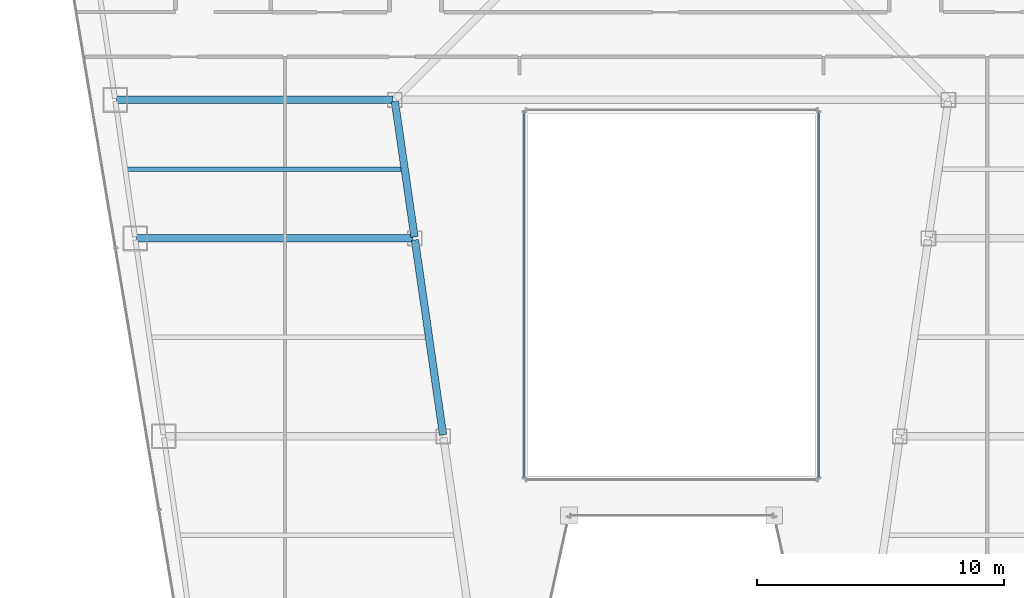
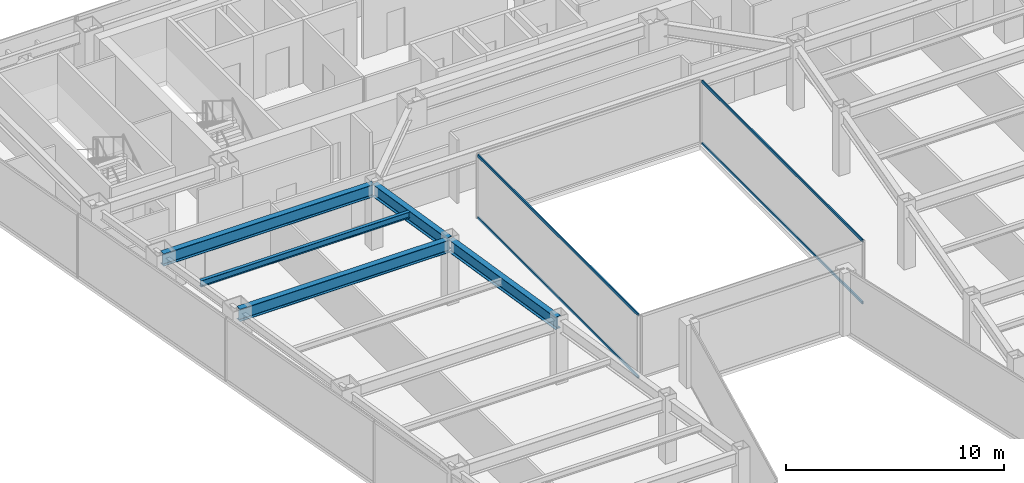
# One storey, part 10 of 36: 5 beams, 4 members, 2 elements without a shape of their own.
"""IFC4 building model written with IfcOpenShell, lengths in metres."""

from ifc_helpers import new_model, si_unit, direction, frame, origin, origin_2d, place, context, subcontext, project, spatial, hollow_rectangle, i_section, extrude, material, material_profile, profile_set, type_object, element, aggregate, save


model = new_model("IFC4")

# Units and contexts
model_context = context("Model", 3, precision=1e-05, world=origin(), true_north=direction((0.0, 1.0)))
body_context = subcontext(model_context, "Body", "Model", "MODEL_VIEW")
ifc_project = project(units=[si_unit("LENGTHUNIT", "METRE"), si_unit("AREAUNIT", "SQUARE_METRE"), si_unit("VOLUMEUNIT", "CUBIC_METRE"), si_unit("PLANEANGLEUNIT", "RADIAN"), si_unit("MASSUNIT", "GRAM", prefix="KILO")], contexts=[model_context])

# Site, building, storey
site_placement = place(None, origin())
site = spatial("IfcSite", under=ifc_project, at=site_placement, CompositionType="ELEMENT")
building_placement = place(site_placement, origin())
building = spatial("IfcBuilding", under=site, at=building_placement, Name="Saevonmaru Cultural Tower", CompositionType="ELEMENT")
storey_placement = place(building_placement, frame((0.0, 0.0, 156.199951171875)))
storey = spatial("IfcBuildingStorey", under=building, at=storey_placement, Name="L34", CompositionType="ELEMENT", Elevation=156.199951171875)

# Beams
ifc_material_1 = material(Name="Steel SM355", Category="steel")
ifc_material_profile_1 = material_profile(ifc_material_1, i_section(OverallWidth=0.300048828125, OverallDepth=0.699951171875, WebThickness=0.012939453125, FlangeThickness=0.02392578125, FilletRadius=0.02587890625, at=origin_2d()), Name="H-700x300x13x24")
ifc_profile_set_1 = profile_set([ifc_material_profile_1], Name="Steel SM355")
beam_type_1 = type_object("IfcBeamType", Name="BM-G-H700", PredefinedType="BEAM", material=ifc_profile_set_1)
beam_1_placement = place(storey_placement, frame((20.763427734375, 24.059326171875, 3.199951171875), z_axis=(-0.142902032203, 0.989736838353, 0.0), x_axis=(-0.989736838353, -0.142902032203, 0.0)))
element("IfcBeam", 1, at=beam_1_placement, inside=storey, type_object=beam_type_1, Name="L34 West Atrium Girder 3", PredefinedType="BEAM", context=body_context, shape_type="SweptSolid", body=[
    extrude(i_section(OverallWidth=0.300048828125, OverallDepth=0.699951171875, WebThickness=0.012939453125, FlangeThickness=0.02392578125, FilletRadius=0.02587890625, at=origin_2d()), origin(), (0.0, 0.0, 1.0), 7.963134765625),
])
beam_2_placement = place(storey_placement, frame((19.6083984375, 32.059326171875, 3.199951171875), z_axis=(-0.142964121327, 0.989727871697, 0.0), x_axis=(-0.989727871697, -0.142964121327, 0.0)))
element("IfcBeam", 2, at=beam_2_placement, inside=storey, type_object=beam_type_1, Name="L34 West Atrium Girder 4", PredefinedType="BEAM", context=body_context, shape_type="SweptSolid", body=[
    extrude(i_section(OverallWidth=0.300048828125, OverallDepth=0.699951171875, WebThickness=0.012939453125, FlangeThickness=0.02392578125, FilletRadius=0.02587890625, at=origin_2d()), origin(), (0.0, 0.0, 1.0), 5.5380859375),
])
for number, where, z_axis, x_axis, name in (
    (3, (8.376953125, 32.0, 3.199951171875), (1.0, 0.0, 0.0), (0.0, 1.0, 0.0), "L34 West Wing Transverse Girder 4"),
    (4, (7.568115234375, 37.60009765625, 3.199951171875), (1.0, 0.0, 0.0), (0.0, 1.0, 0.0), "L34 West Wing Transverse Girder 5"),
):
    element("IfcBeam", number, at=place(storey_placement, frame(where, z_axis=z_axis, x_axis=x_axis)), inside=storey, type_object=beam_type_1, Name=name, PredefinedType="BEAM", context=body_context, shape_type="SweptSolid", body=[
        extrude(i_section(OverallWidth=0.300048828125, OverallDepth=0.699951171875, WebThickness=0.012939453125, FlangeThickness=0.02392578125, FilletRadius=0.02587890625, at=origin_2d()), origin(), (0.0, 0.0, 1.0), 11.179931640625),
    ])
ifc_material_profile_2 = material_profile(ifc_material_1, i_section(OverallWidth=0.175048828125, OverallDepth=0.35009765625, WebThickness=0.007080078125, FlangeThickness=0.010986328125, FilletRadius=0.012939453125, at=origin_2d()), Name="H-350x175x7x11")
ifc_profile_set_2 = profile_set([ifc_material_profile_2], Name="Steel SM355")
beam_type_2 = type_object("IfcBeamType", Name="BM-J-H350", PredefinedType="JOIST", material=ifc_profile_set_2)
beam_3_placement = place(storey_placement, frame((7.972412109375, 34.800048828125, 3.375), z_axis=(1.0, 0.0, 0.0), x_axis=(0.0, 1.0, 0.0)))
element("IfcBeam", 5, at=beam_3_placement, inside=storey, type_object=beam_type_2, Name="L34 West Wing Floor Joist 4", PredefinedType="JOIST", context=body_context, shape_type="SweptSolid", body=[
    extrude(i_section(OverallWidth=0.175048828125, OverallDepth=0.35009765625, WebThickness=0.007080078125, FlangeThickness=0.010986328125, FilletRadius=0.012939453125, at=origin_2d()), origin(), (0.0, 0.0, 1.0), 11.08203125),
])

# Curtain wall, members
ifc_material_2 = material(Name="Satin Bronze Anodised Aluminium", Category="aluminium")
curtain_wall_type = type_object("IfcCurtainWallType", Name="CW-ATR-GLZ", PredefinedType="NOTDEFINED", material=ifc_material_2)
curtain_wall_1_placement = place(storey_placement, origin())
curtain_wall_1 = element("IfcCurtainWall", 6, at=curtain_wall_1_placement, inside=storey, type_object=curtain_wall_type, Name="L34 Vertical Atrium Glazed Smoke Screen 2", PredefinedType="NOTDEFINED")
ifc_material_profile_3 = material_profile(ifc_material_2, hollow_rectangle(XDim=0.06494140625, YDim=0.14990234375, WallThickness=0.00390625, at=origin_2d()), Name="ALU-TRAN-150x65x4")
ifc_profile_set_3 = profile_set([ifc_material_profile_3], Name="Satin Bronze Anodised Aluminium")
member_type = type_object("IfcMemberType", Name="TR-CW-INT-150x65", PredefinedType="USERDEFINED", material=ifc_profile_set_3)
member_1_placement = place(storey_placement, frame((35.949951171875, 22.342529296875, 0.032470703125), z_axis=(0.0, 1.0, 0.0), x_axis=(-1.0, 0.0, 0.0)))
member_1 = element("IfcMember", 7, at=member_1_placement, type_object=member_type, Name="CW-ATR-L34-2 transom 1.1", ObjectType="TRANSOM", PredefinedType="USERDEFINED", context=body_context, shape_type="SweptSolid", body=[
    extrude(hollow_rectangle(XDim=0.06494140625, YDim=0.14990234375, WallThickness=0.00390625, at=origin_2d()), origin(), (0.0, 0.0, 1.0), 14.7548828125),
])
member_2_placement = place(storey_placement, frame((35.949951171875, 22.342529296875, 3.517578125), z_axis=(0.0, 1.0, 0.0), x_axis=(-1.0, 0.0, 0.0)))
member_2 = element("IfcMember", 8, at=member_2_placement, type_object=member_type, Name="CW-ATR-L34-2 transom 1.2", ObjectType="TRANSOM", PredefinedType="USERDEFINED", context=body_context, shape_type="SweptSolid", body=[
    extrude(hollow_rectangle(XDim=0.06494140625, YDim=0.14990234375, WallThickness=0.00390625, at=origin_2d()), origin(), (0.0, 0.0, 1.0), 14.7548828125),
])
aggregate(curtain_wall_1, [member_1, member_2])

curtain_wall_2_placement = place(storey_placement, origin())
curtain_wall_2 = element("IfcCurtainWall", 9, at=curtain_wall_2_placement, inside=storey, type_object=curtain_wall_type, Name="L34 Vertical Atrium Glazed Smoke Screen 4", PredefinedType="NOTDEFINED")
member_3_placement = place(storey_placement, frame((24.050048828125, 37.097412109375, 0.032470703125), z_axis=(0.0, -1.0, 0.0), x_axis=(1.0, 0.0, 0.0)))
member_3 = element("IfcMember", 10, at=member_3_placement, type_object=member_type, Name="CW-ATR-L34-4 transom 1.1", ObjectType="TRANSOM", PredefinedType="USERDEFINED", context=body_context, shape_type="SweptSolid", body=[
    extrude(hollow_rectangle(XDim=0.06494140625, YDim=0.14990234375, WallThickness=0.00390625, at=origin_2d()), origin(), (0.0, 0.0, 1.0), 14.7548828125),
])
member_4_placement = place(storey_placement, frame((24.050048828125, 37.097412109375, 3.517578125), z_axis=(0.0, -1.0, 0.0), x_axis=(1.0, 0.0, 0.0)))
member_4 = element("IfcMember", 11, at=member_4_placement, type_object=member_type, Name="CW-ATR-L34-4 transom 1.2", ObjectType="TRANSOM", PredefinedType="USERDEFINED", context=body_context, shape_type="SweptSolid", body=[
    extrude(hollow_rectangle(XDim=0.06494140625, YDim=0.14990234375, WallThickness=0.00390625, at=origin_2d()), origin(), (0.0, 0.0, 1.0), 14.7548828125),
])
aggregate(curtain_wall_2, [member_3, member_4])

save(model, "model.ifc")
